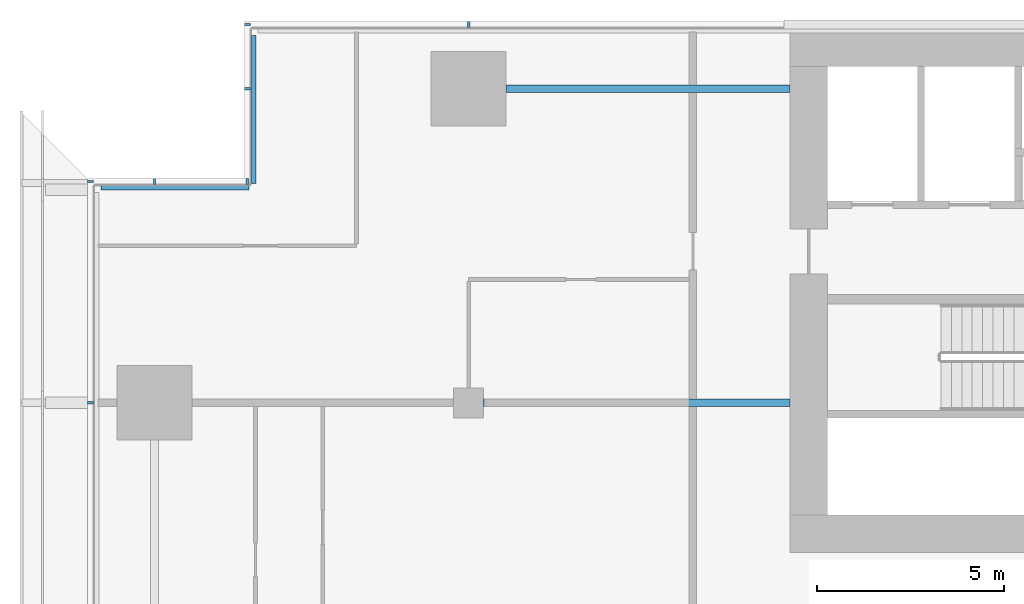
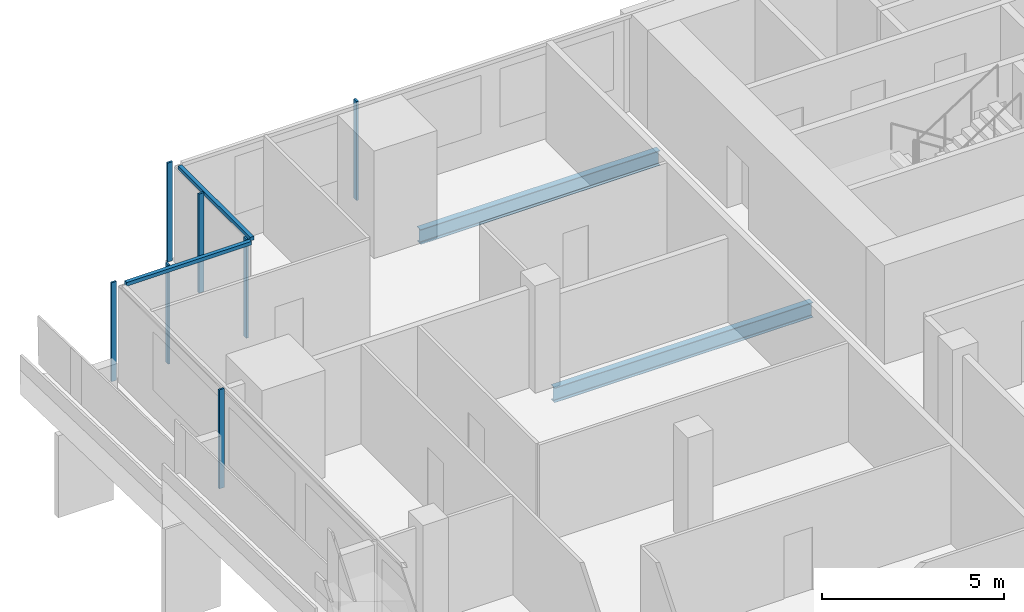
# One storey, part 7 of 25: 9 members, 2 beams, 4 elements without a shape of their own.
"""IFC4 building model written with IfcOpenShell, lengths in metres."""

from ifc_helpers import new_model, si_unit, direction, frame, origin, origin_2d, place, context, subcontext, project, spatial, rectangle, i_section, extrude, material, material_profile, profile_set, type_object, element, aggregate, save


model = new_model("IFC4")

# Units and contexts
model_context = context("Model", 3, precision=1e-05, world=origin(), true_north=direction((0.0, 1.0)))
body_context = subcontext(model_context, "Body", "Model", "MODEL_VIEW")
ifc_project = project(units=[si_unit("LENGTHUNIT", "METRE"), si_unit("AREAUNIT", "SQUARE_METRE"), si_unit("VOLUMEUNIT", "CUBIC_METRE"), si_unit("PLANEANGLEUNIT", "RADIAN"), si_unit("MASSUNIT", "GRAM", prefix="KILO")], contexts=[model_context])

# Site, building, storey
site_placement = place(None, origin())
site = spatial("IfcSite", under=ifc_project, at=site_placement, CompositionType="ELEMENT")
building_placement = place(site_placement, origin())
building = spatial("IfcBuilding", under=site, at=building_placement, Name="Saffron Gate Tower", CompositionType="ELEMENT")
storey_placement = place(building_placement, frame((0.0, 0.0, 131.25)))
storey = spatial("IfcBuildingStorey", under=building, at=storey_placement, Name="L31", CompositionType="ELEMENT", Elevation=131.25)

# Beams
ifc_material_1 = material(Name="Structural steel S355", Category="steel")
ifc_material_profile_1 = material_profile(ifc_material_1, i_section(OverallWidth=0.199951171875, OverallDepth=0.5, WebThickness=0.01025390625, FlangeThickness=0.01611328125, FilletRadius=0.02099609375, at=origin_2d()))
ifc_profile_set_1 = profile_set([ifc_material_profile_1], Name="Structural steel S355")
beam_type = type_object("IfcBeamType", Name="B10 IPE 500", PredefinedType="BEAM", material=ifc_profile_set_1)
beam_1_placement = place(storey_placement, frame((58.60009765625, 65.39990234375, -0.530029296875), z_axis=(1.0, 0.0, 0.0), x_axis=(0.0, 1.0, 0.0)))
element("IfcBeam", 1, at=beam_1_placement, inside=storey, type_object=beam_type, Name="B10 CORE TIE BEAM", PredefinedType="BEAM", context=body_context, shape_type="SweptSolid", body=[
    extrude(i_section(OverallWidth=0.199951171875, OverallDepth=0.5, WebThickness=0.01025390625, FlangeThickness=0.01611328125, FilletRadius=0.02099609375, at=origin_2d()), origin(), (0.0, 0.0, 1.0), 8.199951171875),
])
beam_2_placement = place(storey_placement, frame((59.199951171875, 73.800048828125, -0.530029296875), z_axis=(1.0, 0.0, 0.0), x_axis=(0.0, 1.0, 0.0)))
element("IfcBeam", 2, at=beam_2_placement, inside=storey, type_object=beam_type, Name="B10 CORE TIE BEAM", PredefinedType="BEAM", context=body_context, shape_type="SweptSolid", body=[
    extrude(i_section(OverallWidth=0.199951171875, OverallDepth=0.5, WebThickness=0.01025390625, FlangeThickness=0.01611328125, FilletRadius=0.02099609375, at=origin_2d()), origin(), (0.0, 0.0, 1.0), 7.60009765625),
])

# Curtain wall, members
ifc_material_2 = material(Name="Aluminium, bronze anodised", Category="aluminium")
curtain_wall_type_1 = type_object("IfcCurtainWallType", Name="CWS2 curtain wall side facades", PredefinedType="NOTDEFINED", material=ifc_material_2)
curtain_wall_1_placement = place(storey_placement, origin())
curtain_wall_1 = element("IfcCurtainWall", 3, at=curtain_wall_1_placement, inside=storey, type_object=curtain_wall_type_1, Name="CWS2 run 10", PredefinedType="NOTDEFINED")
ifc_material_profile_2 = material_profile(ifc_material_2, rectangle(XDim=0.159912109375, YDim=0.06005859375, at=origin_2d()))
ifc_profile_set_2 = profile_set([ifc_material_profile_2], Name="Aluminium, bronze anodised")
member_type_1 = type_object("IfcMemberType", Name="CWS2 mullion 60x160", PredefinedType="MULLION", material=ifc_profile_set_2)
member_1_placement = place(storey_placement, frame((48.080078125, 71.320068359375, 0.0), z_axis=(0.0, 0.0, 1.0), x_axis=(1.0, 0.0, 0.0)))
member_1 = element("IfcMember", 4, at=member_1_placement, type_object=member_type_1, Name="CWS2 mullion 1", PredefinedType="MULLION", context=body_context, shape_type="SweptSolid", body=[
    extrude(rectangle(XDim=0.159912109375, YDim=0.06005859375, at=origin_2d()), origin(), (0.0, 0.0, 1.0), 3.320068359375),
])
member_2_placement = place(storey_placement, frame((48.080078125, 65.39990234375, 0.0), z_axis=(0.0, 0.0, 1.0), x_axis=(1.0, 0.0, 0.0)))
member_2 = element("IfcMember", 5, at=member_2_placement, type_object=member_type_1, Name="CWS2 mullion 2", PredefinedType="MULLION", context=body_context, shape_type="SweptSolid", body=[
    extrude(rectangle(XDim=0.159912109375, YDim=0.06005859375, at=origin_2d()), origin(), (0.0, 0.0, 1.0), 3.320068359375),
])
aggregate(curtain_wall_1, [member_1, member_2])

# Curtain wall, member
curtain_wall_type_2 = type_object("IfcCurtainWallType", Name="CWS3 curtain wall rear facade", PredefinedType="NOTDEFINED", material=ifc_material_2)
curtain_wall_2_placement = place(storey_placement, origin())
curtain_wall_2 = element("IfcCurtainWall", 6, at=curtain_wall_2_placement, inside=storey, type_object=curtain_wall_type_2, Name="CWS3 run 7", PredefinedType="NOTDEFINED")
ifc_material_profile_3 = material_profile(ifc_material_2, rectangle(XDim=0.159912109375, YDim=0.070068359375, at=origin_2d()))
ifc_profile_set_3 = profile_set([ifc_material_profile_3], Name="Aluminium, bronze anodised")
member_type_2 = type_object("IfcMemberType", Name="CWS3 mullion 70x160", PredefinedType="MULLION", material=ifc_profile_set_3)
member_3_placement = place(storey_placement, frame((58.199951171875, 75.52001953125, 0.0), z_axis=(0.0, 0.0, 1.0), x_axis=(0.0, -1.0, 0.0)))
member_3 = element("IfcMember", 7, at=member_3_placement, type_object=member_type_2, Name="CWS3 mullion 9", PredefinedType="MULLION", context=body_context, shape_type="SweptSolid", body=[
    extrude(rectangle(XDim=0.159912109375, YDim=0.070068359375, at=origin_2d()), origin(), (0.0, 0.0, 1.0), 3.320068359375),
])
aggregate(curtain_wall_2, [member_3])

curtain_wall_type_3 = type_object("IfcCurtainWallType", Name="CWS4 curtain wall corner returns", PredefinedType="NOTDEFINED", material=ifc_material_2)
curtain_wall_3_placement = place(storey_placement, origin())
curtain_wall_3 = element("IfcCurtainWall", 8, at=curtain_wall_3_placement, inside=storey, type_object=curtain_wall_type_3, Name="CWS4 run 8", PredefinedType="NOTDEFINED")
ifc_material_profile_4 = material_profile(ifc_material_2, rectangle(XDim=0.1201171875, YDim=0.1201171875, at=origin_2d()))
ifc_profile_set_4 = profile_set([ifc_material_profile_4], Name="Aluminium, bronze anodised")
member_type_3 = type_object("IfcMemberType", Name="CWS4 head transom", PredefinedType="USERDEFINED", material=ifc_profile_set_4)
member_4_placement = place(storey_placement, frame((52.447998046875, 75.23193359375, 3.260009765625), z_axis=(0.0, -1.0, 0.0), x_axis=(1.0, 0.0, 0.0)))
member_4 = element("IfcMember", 9, at=member_4_placement, type_object=member_type_3, Name="CWS4 head transom", ObjectType="TRANSOM", PredefinedType="USERDEFINED", context=body_context, shape_type="SweptSolid", body=[
    extrude(rectangle(XDim=0.1201171875, YDim=0.1201171875, at=origin_2d()), origin(), (0.0, 0.0, 1.0), 3.9599609375),
])

curtain_wall_4_placement = place(storey_placement, origin())
curtain_wall_4 = element("IfcCurtainWall", 10, at=curtain_wall_4_placement, inside=storey, type_object=curtain_wall_type_3, Name="CWS4 run 9", PredefinedType="NOTDEFINED")
member_5_placement = place(storey_placement, frame((52.327880859375, 71.152099609375, 3.260009765625), z_axis=(-1.0, 0.0, 0.0), x_axis=(0.0, -1.0, 0.0)))
member_5 = element("IfcMember", 11, at=member_5_placement, type_object=member_type_3, Name="CWS4 head transom", ObjectType="TRANSOM", PredefinedType="USERDEFINED", context=body_context, shape_type="SweptSolid", body=[
    extrude(rectangle(XDim=0.1201171875, YDim=0.1201171875, at=origin_2d()), origin(), (0.0, 0.0, 1.0), 3.9599609375),
])

# Member
ifc_material_profile_5 = material_profile(ifc_material_2, rectangle(XDim=0.159912109375, YDim=0.06005859375, at=origin_2d()))
ifc_profile_set_5 = profile_set([ifc_material_profile_5], Name="Aluminium, bronze anodised")
member_type_4 = type_object("IfcMemberType", Name="CWS4 mullion 60x160", PredefinedType="MULLION", material=ifc_profile_set_5)
member_6_placement = place(storey_placement, frame((52.280029296875, 75.52001953125, 0.0), z_axis=(0.0, 0.0, 1.0), x_axis=(1.0, 0.0, 0.0)))
member_6 = element("IfcMember", 12, at=member_6_placement, type_object=member_type_4, Name="CWS4 mullion 1", PredefinedType="MULLION", context=body_context, shape_type="SweptSolid", body=[
    extrude(rectangle(XDim=0.159912109375, YDim=0.06005859375, at=origin_2d()), origin(), (0.0, 0.0, 1.0), 3.320068359375),
])

member_7_placement = place(storey_placement, frame((52.280029296875, 73.800048828125, 0.0), z_axis=(0.0, 0.0, 1.0), x_axis=(1.0, 0.0, 0.0)))
member_7 = element("IfcMember", 13, at=member_7_placement, type_object=member_type_4, Name="CWS4 mullion 2", PredefinedType="MULLION", context=body_context, shape_type="SweptSolid", body=[
    extrude(rectangle(XDim=0.159912109375, YDim=0.06005859375, at=origin_2d()), origin(), (0.0, 0.0, 1.0), 3.320068359375),
])

aggregate(curtain_wall_3, [member_6, member_7, member_4])

member_8_placement = place(storey_placement, frame((52.280029296875, 71.320068359375, 0.0), z_axis=(0.0, 0.0, 1.0), x_axis=(0.0, -1.0, 0.0)))
member_8 = element("IfcMember", 14, at=member_8_placement, type_object=member_type_4, Name="CWS4 mullion 1", PredefinedType="MULLION", context=body_context, shape_type="SweptSolid", body=[
    extrude(rectangle(XDim=0.159912109375, YDim=0.06005859375, at=origin_2d()), origin(), (0.0, 0.0, 1.0), 3.320068359375),
])

member_9_placement = place(storey_placement, frame((49.800048828125, 71.320068359375, 0.0), z_axis=(0.0, 0.0, 1.0), x_axis=(0.0, -1.0, 0.0)))
member_9 = element("IfcMember", 15, at=member_9_placement, type_object=member_type_4, Name="CWS4 mullion 2", PredefinedType="MULLION", context=body_context, shape_type="SweptSolid", body=[
    extrude(rectangle(XDim=0.159912109375, YDim=0.06005859375, at=origin_2d()), origin(), (0.0, 0.0, 1.0), 3.320068359375),
])

aggregate(curtain_wall_4, [member_8, member_9, member_5])

save(model, "model.ifc")
